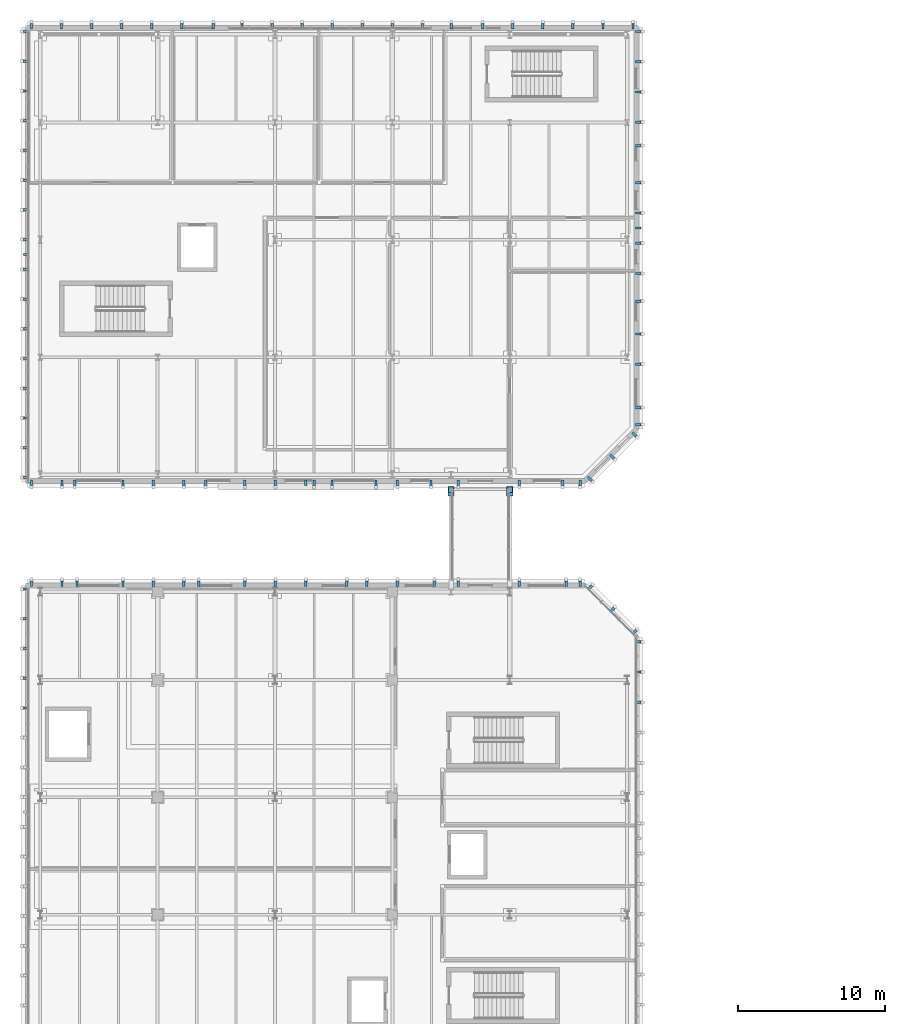
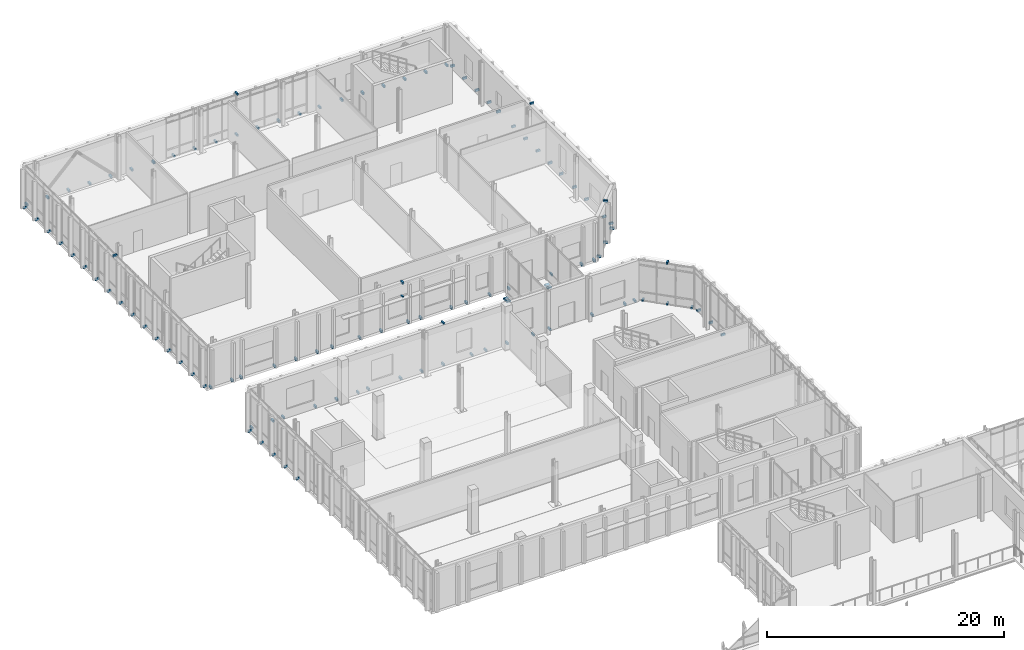
# One storey, part 77 of 100: 113 discrete accessories.
"""IFC4 building model written with IfcOpenShell, lengths in metres."""

from ifc_helpers import new_model, si_unit, direction, frame, origin, origin_2d, place, context, subcontext, project, spatial, rectangle, extrude, material, type_object, element, save


model = new_model("IFC4")

# Units and contexts
model_context = context("Model", 3, precision=1e-05, world=origin(), true_north=direction((0.0, 1.0)))
body_context = subcontext(model_context, "Body", "Model", "MODEL_VIEW")
ifc_project = project(units=[si_unit("LENGTHUNIT", "METRE"), si_unit("AREAUNIT", "SQUARE_METRE"), si_unit("VOLUMEUNIT", "CUBIC_METRE"), si_unit("PLANEANGLEUNIT", "RADIAN"), si_unit("MASSUNIT", "GRAM", prefix="KILO")], contexts=[model_context])

# Site, building, storey
site_placement = place(None, origin())
site = spatial("IfcSite", under=ifc_project, at=site_placement, CompositionType="ELEMENT")
building_placement = place(site_placement, origin())
building = spatial("IfcBuilding", under=site, at=building_placement, Name="Cymarion Research Institute", CompositionType="ELEMENT")
storey_placement = place(building_placement, frame((0.0, 0.0, 4.800048828125)))
storey = spatial("IfcBuildingStorey", under=building, at=storey_placement, Name="L01", CompositionType="ELEMENT", Elevation=4.800048828125)

# Discrete accessories
ifc_material = material(Name="Steel S355", Category="steel")
discrete_accessory_type_1 = type_object("IfcDiscreteAccessoryType", Name="PTFE ELASTOMERIC SLIDING BEARING SB01", PredefinedType="SHOE", material=ifc_material)
for number, where, z_axis, x_axis, name in (
    (1, (34.60009765625, 84.43994140625, -0.590087890625), (0.0, 0.0, 1.0), (1.0, 0.0, 0.0), "L01 SP2 unguided PTFE sliding bearing 1"),
    (2, (38.60009765625, 84.43994140625, -0.590087890625), (0.0, 0.0, 1.0), (1.0, 0.0, 0.0), "L01 SP2 unguided PTFE sliding bearing 2"),
):
    element("IfcDiscreteAccessory", number, at=place(storey_placement, frame(where, z_axis=z_axis, x_axis=x_axis)), inside=storey, type_object=discrete_accessory_type_1, Name=name, PredefinedType="SHOE", context=body_context, shape_type="SweptSolid", body=[
        extrude(rectangle(XDim=0.35009765625, YDim=0.35009765625, at=origin_2d()), origin(), (0.0, 0.0, 1.0), 0.080078125),
    ])
discrete_accessory_type_2 = type_object("IfcDiscreteAccessoryType", Name="STAINLESS STEEL FACADE FIN BRACKET FBK1", PredefinedType="BRACKET", material=ifc_material)
for number, where, z_axis, x_axis, name in (
    (3, (47.360107421875, 69.976806640625, -0.08984375), (0.0, 0.0, 1.0), (1.0, 0.0, 0.0), "L01 V4 vertical rib anchor bracket #322"),
    (4, (47.360107421875, 72.03857421875, -0.08984375), (0.0, 0.0, 1.0), (1.0, 0.0, 0.0), "L01 V4 vertical rib anchor bracket #323"),
    (5, (47.360107421875, 74.10009765625, -0.08984375), (0.0, 0.0, 1.0), (1.0, 0.0, 0.0), "L01 V4 vertical rib anchor bracket #324"),
):
    element("IfcDiscreteAccessory", number, at=place(storey_placement, frame(where, z_axis=z_axis, x_axis=x_axis)), inside=storey, type_object=discrete_accessory_type_2, Name=name, PredefinedType="BRACKET", context=body_context, shape_type="SweptSolid", body=[
        extrude(rectangle(XDim=0.3798828125, YDim=0.159912109375, at=origin_2d()), origin(), (0.0, 0.0, 1.0), 0.219970703125),
    ])
discrete_accessory_1_placement = place(storey_placement, frame((45.57177734375, 76.271728515625, 4.169921875), z_axis=(0.0, 0.0, 1.0), x_axis=(0.707106781187, 0.707106781187, 0.0)))
element("IfcDiscreteAccessory", 6, at=discrete_accessory_1_placement, inside=storey, type_object=discrete_accessory_type_2, Name="L01 V4 spandrel brow anchor bracket #325", PredefinedType="BRACKET", context=body_context, shape_type="SweptSolid", body=[
    extrude(rectangle(XDim=0.3798828125, YDim=0.159912109375, at=origin_2d()), origin(), (0.0, 0.0, 1.0), 0.199951171875),
])
for number, where, z_axis, x_axis, name in (
    (7, (47.0888671875, 74.754638671875, -0.08984375), (0.0, 0.0, 1.0), (0.707106781187, 0.707106781187, 0.0), "L01 V4 vertical rib anchor bracket #326"),
    (8, (45.57177734375, 76.271728515625, -0.08984375), (0.0, 0.0, 1.0), (0.707106781187, 0.707106781187, 0.0), "L01 V4 vertical rib anchor bracket #327"),
    (9, (44.054443359375, 77.788818359375, -0.08984375), (0.0, 0.0, 1.0), (0.707106781187, 0.707106781187, 0.0), "L01 V4 vertical rib anchor bracket #328"),
):
    element("IfcDiscreteAccessory", number, at=place(storey_placement, frame(where, z_axis=z_axis, x_axis=x_axis)), inside=storey, type_object=discrete_accessory_type_2, Name=name, PredefinedType="BRACKET", context=body_context, shape_type="SweptSolid", body=[
        extrude(rectangle(XDim=0.3798828125, YDim=0.159912109375, at=origin_2d()), origin(), (0.0, 0.0, 1.0), 0.219970703125),
    ])
discrete_accessory_2_placement = place(storey_placement, frame((24.699951171875, 78.06005859375, 4.169921875), z_axis=(0.0, 0.0, 1.0), x_axis=(0.0, 1.0, 0.0)))
element("IfcDiscreteAccessory", 10, at=discrete_accessory_2_placement, inside=storey, type_object=discrete_accessory_type_2, Name="L01 V4 spandrel brow anchor bracket #329", PredefinedType="BRACKET", context=body_context, shape_type="SweptSolid", body=[
    extrude(rectangle(XDim=0.3798828125, YDim=0.159912109375, at=origin_2d()), origin(), (0.0, 0.0, 1.0), 0.199951171875),
])
for number, where, z_axis, x_axis, name in (
    (11, (43.39990234375, 78.06005859375, -0.08984375), (0.0, 0.0, 1.0), (0.0, 1.0, 0.0), "L01 V4 vertical rib anchor bracket #330"),
    (12, (42.438232421875, 78.06005859375, -0.08984375), (0.0, 0.0, 1.0), (0.0, 1.0, 0.0), "L01 V4 vertical rib anchor bracket #331"),
    (13, (39.244384765625, 78.06005859375, -0.08984375), (0.0, 0.0, 1.0), (0.0, 1.0, 0.0), "L01 V4 vertical rib anchor bracket #332"),
    (14, (35.0888671875, 78.06005859375, -0.08984375), (0.0, 0.0, 1.0), (0.0, 1.0, 0.0), "L01 V4 vertical rib anchor bracket #333"),
    (15, (33.47021484375, 78.06005859375, -0.08984375), (0.0, 0.0, 1.0), (0.0, 1.0, 0.0), "L01 V4 vertical rib anchor bracket #334"),
    (16, (30.933349609375, 78.06005859375, -0.08984375), (0.0, 0.0, 1.0), (0.0, 1.0, 0.0), "L01 V4 vertical rib anchor bracket #335"),
    (17, (28.855712890625, 78.06005859375, -0.08984375), (0.0, 0.0, 1.0), (0.0, 1.0, 0.0), "L01 V4 vertical rib anchor bracket #336"),
    (18, (27.500244140625, 78.06005859375, -0.08984375), (0.0, 0.0, 1.0), (0.0, 1.0, 0.0), "L01 V4 vertical rib anchor bracket #337"),
    (19, (24.699951171875, 78.06005859375, -0.08984375), (0.0, 0.0, 1.0), (0.0, 1.0, 0.0), "L01 V4 vertical rib anchor bracket #338"),
    (20, (22.622314453125, 78.06005859375, -0.08984375), (0.0, 0.0, 1.0), (0.0, 1.0, 0.0), "L01 V4 vertical rib anchor bracket #339"),
    (21, (20.54443359375, 78.06005859375, -0.08984375), (0.0, 0.0, 1.0), (0.0, 1.0, 0.0), "L01 V4 vertical rib anchor bracket #340"),
    (22, (17.400146484375, 78.06005859375, -0.08984375), (0.0, 0.0, 1.0), (0.0, 1.0, 0.0), "L01 V4 vertical rib anchor bracket #341"),
    (23, (16.388916015625, 78.06005859375, -0.08984375), (0.0, 0.0, 1.0), (0.0, 1.0, 0.0), "L01 V4 vertical rib anchor bracket #342"),
    (24, (14.31103515625, 78.06005859375, -0.08984375), (0.0, 0.0, 1.0), (0.0, 1.0, 0.0), "L01 V4 vertical rib anchor bracket #343"),
    (25, (12.2333984375, 78.06005859375, -0.08984375), (0.0, 0.0, 1.0), (0.0, 1.0, 0.0), "L01 V4 vertical rib anchor bracket #344"),
    (26, (9.10009765625, 78.06005859375, -0.08984375), (0.0, 0.0, 1.0), (0.0, 1.0, 0.0), "L01 V4 vertical rib anchor bracket #345"),
    (27, (8.077880859375, 78.06005859375, -0.08984375), (0.0, 0.0, 1.0), (0.0, 1.0, 0.0), "L01 V4 vertical rib anchor bracket #346"),
    (28, (6.0, 78.06005859375, -0.08984375), (0.0, 0.0, 1.0), (0.0, 1.0, 0.0), "L01 V4 vertical rib anchor bracket #347"),
    (29, (5.639892578125, 77.699951171875, -0.08984375), (0.0, 0.0, 1.0), (-1.0, 0.0, 0.0), "L01 V4 vertical rib anchor bracket #349"),
    (30, (5.639892578125, 75.67333984375, -0.08984375), (0.0, 0.0, 1.0), (-1.0, 0.0, 0.0), "L01 V4 vertical rib anchor bracket #350"),
    (31, (5.639892578125, 73.646728515625, -0.08984375), (0.0, 0.0, 1.0), (-1.0, 0.0, 0.0), "L01 V4 vertical rib anchor bracket #351"),
    (32, (5.639892578125, 71.6201171875, -0.08984375), (0.0, 0.0, 1.0), (-1.0, 0.0, 0.0), "L01 V4 vertical rib anchor bracket #352"),
    (33, (5.639892578125, 69.59326171875, -0.08984375), (0.0, 0.0, 1.0), (-1.0, 0.0, 0.0), "L01 V4 vertical rib anchor bracket #353"),
):
    element("IfcDiscreteAccessory", number, at=place(storey_placement, frame(where, z_axis=z_axis, x_axis=x_axis)), inside=storey, type_object=discrete_accessory_type_2, Name=name, PredefinedType="BRACKET", context=body_context, shape_type="SweptSolid", body=[
        extrude(rectangle(XDim=0.3798828125, YDim=0.159912109375, at=origin_2d()), origin(), (0.0, 0.0, 1.0), 0.219970703125),
    ])
discrete_accessory_3_placement = place(storey_placement, frame((24.699951171875, 84.93994140625, 4.169921875), z_axis=(0.0, 0.0, 1.0), x_axis=(0.0, -1.0, 0.0)))
element("IfcDiscreteAccessory", 34, at=discrete_accessory_3_placement, inside=storey, type_object=discrete_accessory_type_2, Name="L01 V5 spandrel brow anchor bracket #365", PredefinedType="BRACKET", context=body_context, shape_type="SweptSolid", body=[
    extrude(rectangle(XDim=0.3798828125, YDim=0.159912109375, at=origin_2d()), origin(), (0.0, 0.0, 1.0), 0.199951171875),
])
for number, where, z_axis, x_axis, name in (
    (35, (6.0, 84.93994140625, -0.08984375), (0.0, 0.0, 1.0), (0.0, -1.0, 0.0), "L01 V5 vertical rib anchor bracket #366"),
    (36, (8.077880859375, 84.93994140625, -0.08984375), (0.0, 0.0, 1.0), (0.0, -1.0, 0.0), "L01 V5 vertical rib anchor bracket #367"),
    (37, (8.949951171875, 84.93994140625, -0.08984375), (0.0, 0.0, 1.0), (0.0, -1.0, 0.0), "L01 V5 vertical rib anchor bracket #368"),
    (38, (12.2333984375, 84.93994140625, -0.08984375), (0.0, 0.0, 1.0), (0.0, -1.0, 0.0), "L01 V5 vertical rib anchor bracket #369"),
    (39, (14.31103515625, 84.93994140625, -0.08984375), (0.0, 0.0, 1.0), (0.0, -1.0, 0.0), "L01 V5 vertical rib anchor bracket #370"),
    (40, (16.388916015625, 84.93994140625, -0.08984375), (0.0, 0.0, 1.0), (0.0, -1.0, 0.0), "L01 V5 vertical rib anchor bracket #371"),
    (41, (17.860107421875, 84.93994140625, -0.08984375), (0.0, 0.0, 1.0), (0.0, -1.0, 0.0), "L01 V5 vertical rib anchor bracket #372"),
    (42, (20.54443359375, 84.93994140625, -0.08984375), (0.0, 0.0, 1.0), (0.0, -1.0, 0.0), "L01 V5 vertical rib anchor bracket #373"),
    (43, (22.622314453125, 84.93994140625, -0.08984375), (0.0, 0.0, 1.0), (0.0, -1.0, 0.0), "L01 V5 vertical rib anchor bracket #374"),
    (44, (25.27001953125, 84.93994140625, -0.08984375), (0.0, 0.0, 1.0), (0.0, -1.0, 0.0), "L01 V5 vertical rib anchor bracket #375"),
    (45, (26.47998046875, 84.93994140625, -0.08984375), (0.0, 0.0, 1.0), (0.0, -1.0, 0.0), "L01 V5 vertical rib anchor bracket #376"),
    (46, (29.47998046875, 84.93994140625, -0.08984375), (0.0, 0.0, 1.0), (0.0, -1.0, 0.0), "L01 V5 vertical rib anchor bracket #377"),
    (47, (30.933349609375, 84.93994140625, -0.08984375), (0.0, 0.0, 1.0), (0.0, -1.0, 0.0), "L01 V5 vertical rib anchor bracket #378"),
    (48, (33.22998046875, 84.93994140625, -0.08984375), (0.0, 0.0, 1.0), (0.0, -1.0, 0.0), "L01 V5 vertical rib anchor bracket #379"),
    (49, (35.0888671875, 84.93994140625, -0.08984375), (0.0, 0.0, 1.0), (0.0, -1.0, 0.0), "L01 V5 vertical rib anchor bracket #380"),
    (50, (39.244384765625, 84.93994140625, -0.08984375), (0.0, 0.0, 1.0), (0.0, -1.0, 0.0), "L01 V5 vertical rib anchor bracket #381"),
    (51, (42.199951171875, 84.93994140625, -0.08984375), (0.0, 0.0, 1.0), (0.0, -1.0, 0.0), "L01 V5 vertical rib anchor bracket #382"),
    (52, (43.39990234375, 84.93994140625, -0.08984375), (0.0, 0.0, 1.0), (0.0, -1.0, 0.0), "L01 V5 vertical rib anchor bracket #383"),
):
    element("IfcDiscreteAccessory", number, at=place(storey_placement, frame(where, z_axis=z_axis, x_axis=x_axis)), inside=storey, type_object=discrete_accessory_type_2, Name=name, PredefinedType="BRACKET", context=body_context, shape_type="SweptSolid", body=[
        extrude(rectangle(XDim=0.3798828125, YDim=0.159912109375, at=origin_2d()), origin(), (0.0, 0.0, 1.0), 0.219970703125),
    ])
discrete_accessory_4_placement = place(storey_placement, frame((24.699951171875, 84.949951171875, 2.72998046875), z_axis=(0.0, 0.0, 1.0), x_axis=(0.0, -1.0, 0.0)))
element("IfcDiscreteAccessory", 53, at=discrete_accessory_4_placement, inside=storey, type_object=discrete_accessory_type_2, Name="L01 V5 sunshade anchor bracket #3", PredefinedType="BRACKET", context=body_context, shape_type="SweptSolid", body=[
    extrude(rectangle(XDim=0.3798828125, YDim=0.159912109375, at=origin_2d()), origin(), (0.0, 0.0, 1.0), 0.179931640625),
])
discrete_accessory_5_placement = place(storey_placement, frame((45.57177734375, 86.728271484375, 4.169921875), z_axis=(0.0, 0.0, 1.0), x_axis=(0.707106781187, -0.707106781187, 0.0)))
element("IfcDiscreteAccessory", 54, at=discrete_accessory_5_placement, inside=storey, type_object=discrete_accessory_type_2, Name="L01 V5 spandrel brow anchor bracket #384", PredefinedType="BRACKET", context=body_context, shape_type="SweptSolid", body=[
    extrude(rectangle(XDim=0.3798828125, YDim=0.159912109375, at=origin_2d()), origin(), (0.0, 0.0, 1.0), 0.199951171875),
])
for number, where, z_axis, x_axis, name in (
    (55, (44.0546875, 85.211181640625, -0.08984375), (0.0, 0.0, 1.0), (0.707106781187, -0.707106781187, 0.0), "L01 V5 vertical rib anchor bracket #385"),
    (56, (45.57177734375, 86.728271484375, -0.08984375), (0.0, 0.0, 1.0), (0.707106781187, -0.707106781187, 0.0), "L01 V5 vertical rib anchor bracket #386"),
    (57, (47.0888671875, 88.24560546875, -0.08984375), (0.0, 0.0, 1.0), (0.707106781187, -0.707106781187, 0.0), "L01 V5 vertical rib anchor bracket #387"),
):
    element("IfcDiscreteAccessory", number, at=place(storey_placement, frame(where, z_axis=z_axis, x_axis=x_axis)), inside=storey, type_object=discrete_accessory_type_2, Name=name, PredefinedType="BRACKET", context=body_context, shape_type="SweptSolid", body=[
        extrude(rectangle(XDim=0.3798828125, YDim=0.159912109375, at=origin_2d()), origin(), (0.0, 0.0, 1.0), 0.219970703125),
    ])
discrete_accessory_6_placement = place(storey_placement, frame((47.360107421875, 102.300048828125, 4.169921875), z_axis=(0.0, 0.0, 1.0), x_axis=(1.0, 0.0, 0.0)))
element("IfcDiscreteAccessory", 58, at=discrete_accessory_6_placement, inside=storey, type_object=discrete_accessory_type_2, Name="L01 V5 spandrel brow anchor bracket #388", PredefinedType="BRACKET", context=body_context, shape_type="SweptSolid", body=[
    extrude(rectangle(XDim=0.3798828125, YDim=0.159912109375, at=origin_2d()), origin(), (0.0, 0.0, 1.0), 0.199951171875),
])
for number, where, z_axis, x_axis, name in (
    (59, (47.360107421875, 88.89990234375, -0.08984375), (0.0, 0.0, 1.0), (1.0, 0.0, 0.0), "L01 V5 vertical rib anchor bracket #389"),
    (60, (47.360107421875, 90.061767578125, -0.08984375), (0.0, 0.0, 1.0), (1.0, 0.0, 0.0), "L01 V5 vertical rib anchor bracket #390"),
    (61, (47.360107421875, 93.023193359375, -0.08984375), (0.0, 0.0, 1.0), (1.0, 0.0, 0.0), "L01 V5 vertical rib anchor bracket #391"),
    (62, (47.360107421875, 95.084716796875, -0.08984375), (0.0, 0.0, 1.0), (1.0, 0.0, 0.0), "L01 V5 vertical rib anchor bracket #392"),
    (63, (47.360107421875, 97.31982421875, -0.08984375), (0.0, 0.0, 1.0), (1.0, 0.0, 0.0), "L01 V5 vertical rib anchor bracket #393"),
    (64, (47.360107421875, 99.207763671875, -0.08984375), (0.0, 0.0, 1.0), (1.0, 0.0, 0.0), "L01 V5 vertical rib anchor bracket #394"),
    (65, (47.360107421875, 101.269287109375, -0.08984375), (0.0, 0.0, 1.0), (1.0, 0.0, 0.0), "L01 V5 vertical rib anchor bracket #395"),
    (66, (47.360107421875, 103.330810546875, -0.08984375), (0.0, 0.0, 1.0), (1.0, 0.0, 0.0), "L01 V5 vertical rib anchor bracket #396"),
    (67, (47.360107421875, 105.392333984375, -0.08984375), (0.0, 0.0, 1.0), (1.0, 0.0, 0.0), "L01 V5 vertical rib anchor bracket #397"),
    (68, (47.360107421875, 107.9296875, -0.08984375), (0.0, 0.0, 1.0), (1.0, 0.0, 0.0), "L01 V5 vertical rib anchor bracket #398"),
    (69, (47.360107421875, 109.515380859375, -0.08984375), (0.0, 0.0, 1.0), (1.0, 0.0, 0.0), "L01 V5 vertical rib anchor bracket #399"),
    (70, (47.360107421875, 111.576904296875, -0.08984375), (0.0, 0.0, 1.0), (1.0, 0.0, 0.0), "L01 V5 vertical rib anchor bracket #400"),
    (71, (47.360107421875, 113.638427734375, -0.08984375), (0.0, 0.0, 1.0), (1.0, 0.0, 0.0), "L01 V5 vertical rib anchor bracket #401"),
    (72, (47.360107421875, 115.699951171875, -0.08984375), (0.0, 0.0, 1.0), (1.0, 0.0, 0.0), "L01 V5 vertical rib anchor bracket #402"),
):
    element("IfcDiscreteAccessory", number, at=place(storey_placement, frame(where, z_axis=z_axis, x_axis=x_axis)), inside=storey, type_object=discrete_accessory_type_2, Name=name, PredefinedType="BRACKET", context=body_context, shape_type="SweptSolid", body=[
        extrude(rectangle(XDim=0.3798828125, YDim=0.159912109375, at=origin_2d()), origin(), (0.0, 0.0, 1.0), 0.219970703125),
    ])
discrete_accessory_7_placement = place(storey_placement, frame((26.5, 116.06005859375, 4.169921875), z_axis=(0.0, 0.0, 1.0), x_axis=(0.0, 1.0, 0.0)))
element("IfcDiscreteAccessory", 73, at=discrete_accessory_7_placement, inside=storey, type_object=discrete_accessory_type_2, Name="L01 V5 spandrel brow anchor bracket #403", PredefinedType="BRACKET", context=body_context, shape_type="SweptSolid", body=[
    extrude(rectangle(XDim=0.3798828125, YDim=0.159912109375, at=origin_2d()), origin(), (0.0, 0.0, 1.0), 0.199951171875),
])
for number, where, z_axis, x_axis, name in (
    (74, (47.0, 116.06005859375, -0.08984375), (0.0, 0.0, 1.0), (0.0, 1.0, 0.0), "L01 V5 vertical rib anchor bracket #404"),
    (75, (44.949951171875, 116.06005859375, -0.08984375), (0.0, 0.0, 1.0), (0.0, 1.0, 0.0), "L01 V5 vertical rib anchor bracket #405"),
    (76, (42.89990234375, 116.06005859375, -0.08984375), (0.0, 0.0, 1.0), (0.0, 1.0, 0.0), "L01 V5 vertical rib anchor bracket #406"),
    (77, (40.85009765625, 116.06005859375, -0.08984375), (0.0, 0.0, 1.0), (0.0, 1.0, 0.0), "L01 V5 vertical rib anchor bracket #407"),
    (78, (38.800048828125, 116.06005859375, -0.08984375), (0.0, 0.0, 1.0), (0.0, 1.0, 0.0), "L01 V5 vertical rib anchor bracket #408"),
    (79, (36.75, 116.06005859375, -0.08984375), (0.0, 0.0, 1.0), (0.0, 1.0, 0.0), "L01 V5 vertical rib anchor bracket #409"),
    (80, (34.610107421875, 116.06005859375, -0.08984375), (0.0, 0.0, 1.0), (0.0, 1.0, 0.0), "L01 V5 vertical rib anchor bracket #410"),
    (81, (32.64990234375, 116.06005859375, -0.08984375), (0.0, 0.0, 1.0), (0.0, 1.0, 0.0), "L01 V5 vertical rib anchor bracket #411"),
    (82, (30.60009765625, 116.06005859375, -0.08984375), (0.0, 0.0, 1.0), (0.0, 1.0, 0.0), "L01 V5 vertical rib anchor bracket #412"),
    (83, (28.550048828125, 116.06005859375, -0.08984375), (0.0, 0.0, 1.0), (0.0, 1.0, 0.0), "L01 V5 vertical rib anchor bracket #413"),
    (84, (26.5, 116.06005859375, -0.08984375), (0.0, 0.0, 1.0), (0.0, 1.0, 0.0), "L01 V5 vertical rib anchor bracket #414"),
    (85, (24.449951171875, 116.06005859375, -0.08984375), (0.0, 0.0, 1.0), (0.0, 1.0, 0.0), "L01 V5 vertical rib anchor bracket #415"),
    (86, (22.39990234375, 116.06005859375, -0.08984375), (0.0, 0.0, 1.0), (0.0, 1.0, 0.0), "L01 V5 vertical rib anchor bracket #416"),
    (87, (20.35009765625, 116.06005859375, -0.08984375), (0.0, 0.0, 1.0), (0.0, 1.0, 0.0), "L01 V5 vertical rib anchor bracket #417"),
    (88, (18.39306640625, 116.06005859375, -0.08984375), (0.0, 0.0, 1.0), (0.0, 1.0, 0.0), "L01 V5 vertical rib anchor bracket #418"),
    (89, (16.25, 116.06005859375, -0.08984375), (0.0, 0.0, 1.0), (0.0, 1.0, 0.0), "L01 V5 vertical rib anchor bracket #419"),
    (90, (14.199951171875, 116.06005859375, -0.08984375), (0.0, 0.0, 1.0), (0.0, 1.0, 0.0), "L01 V5 vertical rib anchor bracket #420"),
    (91, (12.14990234375, 116.06005859375, -0.08984375), (0.0, 0.0, 1.0), (0.0, 1.0, 0.0), "L01 V5 vertical rib anchor bracket #421"),
    (92, (10.10009765625, 116.06005859375, -0.08984375), (0.0, 0.0, 1.0), (0.0, 1.0, 0.0), "L01 V5 vertical rib anchor bracket #422"),
    (93, (8.050048828125, 116.06005859375, -0.08984375), (0.0, 0.0, 1.0), (0.0, 1.0, 0.0), "L01 V5 vertical rib anchor bracket #423"),
    (94, (6.0, 116.06005859375, -0.08984375), (0.0, 0.0, 1.0), (0.0, 1.0, 0.0), "L01 V5 vertical rib anchor bracket #424"),
):
    element("IfcDiscreteAccessory", number, at=place(storey_placement, frame(where, z_axis=z_axis, x_axis=x_axis)), inside=storey, type_object=discrete_accessory_type_2, Name=name, PredefinedType="BRACKET", context=body_context, shape_type="SweptSolid", body=[
        extrude(rectangle(XDim=0.3798828125, YDim=0.159912109375, at=origin_2d()), origin(), (0.0, 0.0, 1.0), 0.219970703125),
    ])
discrete_accessory_8_placement = place(storey_placement, frame((5.639892578125, 100.5, 4.169921875), z_axis=(0.0, 0.0, 1.0), x_axis=(-1.0, 0.0, 0.0)))
element("IfcDiscreteAccessory", 95, at=discrete_accessory_8_placement, inside=storey, type_object=discrete_accessory_type_2, Name="L01 V5 spandrel brow anchor bracket #425", PredefinedType="BRACKET", context=body_context, shape_type="SweptSolid", body=[
    extrude(rectangle(XDim=0.3798828125, YDim=0.159912109375, at=origin_2d()), origin(), (0.0, 0.0, 1.0), 0.199951171875),
])
for number, where, z_axis, x_axis, name in (
    (96, (5.639892578125, 115.699951171875, -0.08984375), (0.0, 0.0, 1.0), (-1.0, 0.0, 0.0), "L01 V5 vertical rib anchor bracket #426"),
    (97, (5.639892578125, 113.67333984375, -0.08984375), (0.0, 0.0, 1.0), (-1.0, 0.0, 0.0), "L01 V5 vertical rib anchor bracket #427"),
    (98, (5.639892578125, 111.646728515625, -0.08984375), (0.0, 0.0, 1.0), (-1.0, 0.0, 0.0), "L01 V5 vertical rib anchor bracket #428"),
    (99, (5.639892578125, 109.6201171875, -0.08984375), (0.0, 0.0, 1.0), (-1.0, 0.0, 0.0), "L01 V5 vertical rib anchor bracket #429"),
    (100, (5.639892578125, 107.59326171875, -0.08984375), (0.0, 0.0, 1.0), (-1.0, 0.0, 0.0), "L01 V5 vertical rib anchor bracket #430"),
    (101, (5.639892578125, 105.566650390625, -0.08984375), (0.0, 0.0, 1.0), (-1.0, 0.0, 0.0), "L01 V5 vertical rib anchor bracket #431"),
    (102, (5.639892578125, 103.5400390625, -0.08984375), (0.0, 0.0, 1.0), (-1.0, 0.0, 0.0), "L01 V5 vertical rib anchor bracket #432"),
    (103, (5.639892578125, 101.51318359375, -0.08984375), (0.0, 0.0, 1.0), (-1.0, 0.0, 0.0), "L01 V5 vertical rib anchor bracket #433"),
    (104, (5.639892578125, 99.48681640625, -0.08984375), (0.0, 0.0, 1.0), (-1.0, 0.0, 0.0), "L01 V5 vertical rib anchor bracket #434"),
    (105, (5.639892578125, 97.4599609375, -0.08984375), (0.0, 0.0, 1.0), (-1.0, 0.0, 0.0), "L01 V5 vertical rib anchor bracket #435"),
    (106, (5.639892578125, 95.433349609375, -0.08984375), (0.0, 0.0, 1.0), (-1.0, 0.0, 0.0), "L01 V5 vertical rib anchor bracket #436"),
    (107, (5.639892578125, 93.40673828125, -0.08984375), (0.0, 0.0, 1.0), (-1.0, 0.0, 0.0), "L01 V5 vertical rib anchor bracket #437"),
    (108, (5.639892578125, 91.3798828125, -0.08984375), (0.0, 0.0, 1.0), (-1.0, 0.0, 0.0), "L01 V5 vertical rib anchor bracket #438"),
    (109, (5.639892578125, 89.353271484375, -0.08984375), (0.0, 0.0, 1.0), (-1.0, 0.0, 0.0), "L01 V5 vertical rib anchor bracket #439"),
    (110, (5.639892578125, 87.32666015625, -0.08984375), (0.0, 0.0, 1.0), (-1.0, 0.0, 0.0), "L01 V5 vertical rib anchor bracket #440"),
    (111, (5.639892578125, 85.300048828125, -0.08984375), (0.0, 0.0, 1.0), (-1.0, 0.0, 0.0), "L01 V5 vertical rib anchor bracket #441"),
):
    element("IfcDiscreteAccessory", number, at=place(storey_placement, frame(where, z_axis=z_axis, x_axis=x_axis)), inside=storey, type_object=discrete_accessory_type_2, Name=name, PredefinedType="BRACKET", context=body_context, shape_type="SweptSolid", body=[
        extrude(rectangle(XDim=0.3798828125, YDim=0.159912109375, at=origin_2d()), origin(), (0.0, 0.0, 1.0), 0.219970703125),
    ])
discrete_accessory_type_3 = type_object("IfcDiscreteAccessoryType", Name="STEEL BRIDGE BEARING CORBEL SEAT SBS650 420X650", PredefinedType="BRACKET", material=ifc_material)
for number, where, z_axis, x_axis, name in (
    (112, (34.60009765625, 84.364990234375, -0.72998046875), (0.0, 0.0, 1.0), (1.0, 0.0, 0.0), "L01 SP2 650mm steel bridge bearing seat corbel 1"),
    (113, (38.60009765625, 84.364990234375, -0.72998046875), (0.0, 0.0, 1.0), (1.0, 0.0, 0.0), "L01 SP2 650mm steel bridge bearing seat corbel 2"),
):
    element("IfcDiscreteAccessory", number, at=place(storey_placement, frame(where, z_axis=z_axis, x_axis=x_axis)), inside=storey, type_object=discrete_accessory_type_3, Name=name, PredefinedType="BRACKET", context=body_context, shape_type="SweptSolid", body=[
        extrude(rectangle(XDim=0.419921875, YDim=0.64990234375, at=origin_2d()), origin(), (0.0, 0.0, 1.0), 0.139892578125),
    ])

save(model, "model.ifc")
